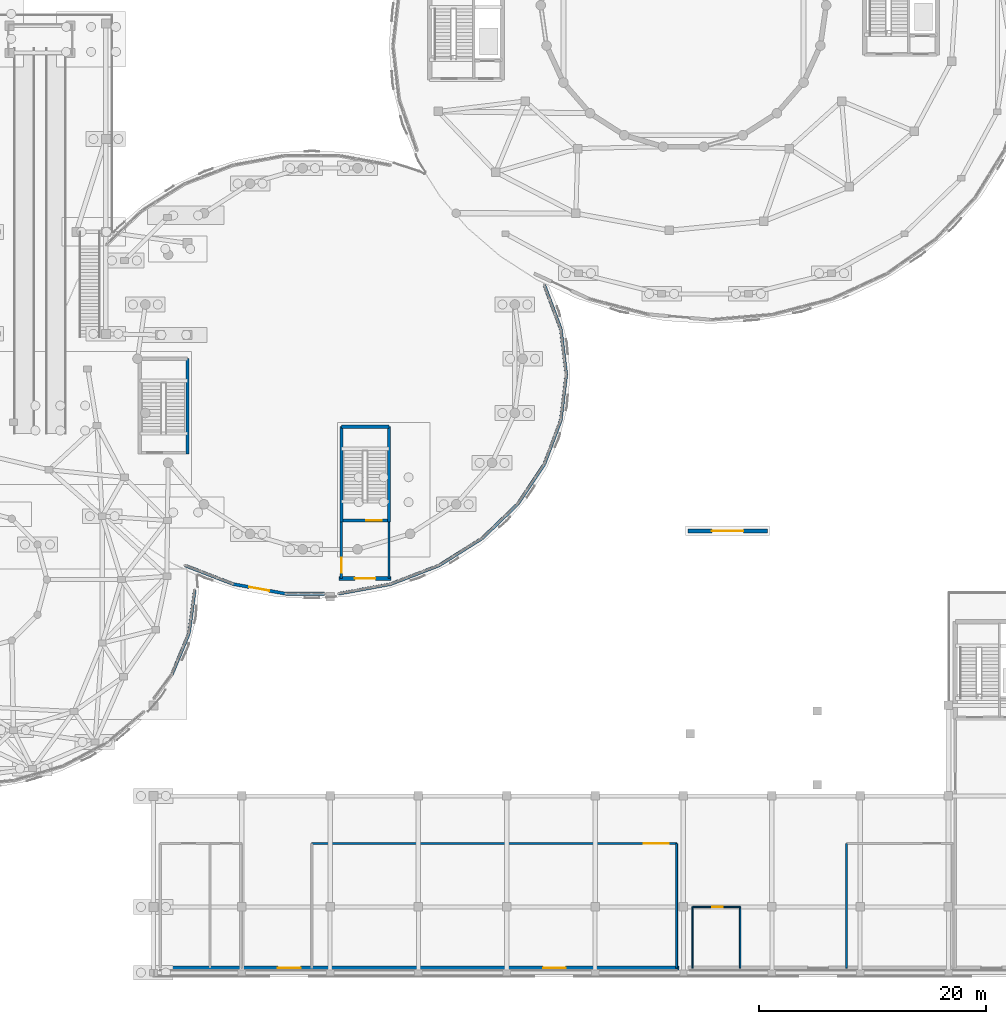
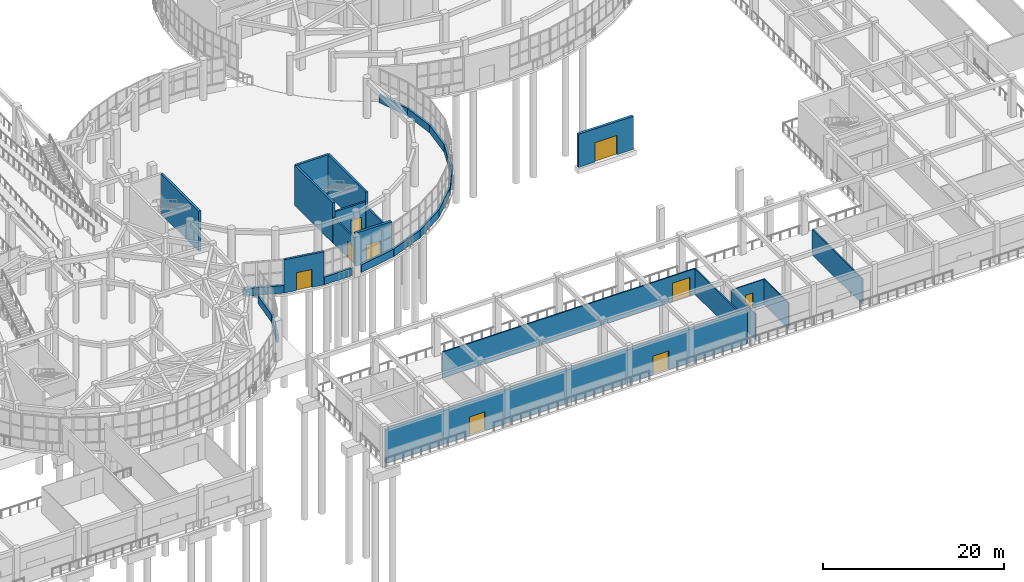
# One storey, part 73 of 96: 30 walls, 9 doors, 9 openings.
"""IFC4 building model written with IfcOpenShell, lengths in metres."""

from ifc_helpers import new_model, si_unit, direction, frame, frame_2d, origin, place, context, subcontext, project, spatial, rectangle, extrude, material, layer, layer_set, type_object, element, fill, save


model = new_model("IFC4")

# Units and contexts
model_context = context("Model", 3, precision=1e-05, world=origin(), true_north=direction((0.0, 1.0)))
body_context = subcontext(model_context, "Body", "Model", "MODEL_VIEW")
ifc_project = project(units=[si_unit("LENGTHUNIT", "METRE"), si_unit("AREAUNIT", "SQUARE_METRE"), si_unit("VOLUMEUNIT", "CUBIC_METRE"), si_unit("PLANEANGLEUNIT", "RADIAN"), si_unit("MASSUNIT", "GRAM", prefix="KILO")], contexts=[model_context])

# Site, building, storey
site_placement = place(None, origin())
site = spatial("IfcSite", under=ifc_project, at=site_placement, CompositionType="ELEMENT")
building_placement = place(site_placement, origin())
building = spatial("IfcBuilding", under=site, at=building_placement, Name="Pelvatis Terrace Science Centre", CompositionType="ELEMENT")
storey_placement = place(building_placement, origin())
storey = spatial("IfcBuildingStorey", under=building, at=storey_placement, Name="L00", CompositionType="ELEMENT", Elevation=0.0)

# Wall, openings, doors
ifc_material_1 = material(Name="Polished black Uruguayan granite masonry", Category="masonry")
ifc_layer_1 = layer(ifc_material_1, 0.364990234375)
ifc_layer_set_1 = layer_set([ifc_layer_1], Name="Polished black Uruguayan granite masonry")
wall_type_1 = type_object("IfcWallType", Name="WL-EXT-GRAN-365", PredefinedType="SOLIDWALL", material=ifc_layer_set_1)
wall_1_placement = place(storey_placement, frame((108.800048828125, 0.800048828125, 0.0), z_axis=(0.0, 0.0, 1.0), x_axis=(-1.0, 0.0, 0.0)))
wall_1 = element("IfcWall", 1, at=wall_1_placement, inside=storey, type_object=wall_type_1, Name="L00 exterior wall EW-L00-S3", PredefinedType="SOLIDWALL", context=body_context, shape_type="SweptSolid", body=[
    extrude(rectangle(XDim=46.0, YDim=0.364990234375, at=frame_2d((23.0, 0.0))), origin(), (0.0, 0.0, 1.0), 4.4599609375),
])
opening_1_placement = place(wall_1_placement, frame((33.39990234375, 0.0, 0.0)))
opening_1 = element("IfcOpeningElement", 2, at=opening_1_placement, cuts=wall_1, Name="Opening D-005", PredefinedType="OPENING", context=body_context, shape_type="SweptSolid", body=[
    extrude(rectangle(XDim=2.0, YDim=2.5, at=frame_2d((1.0, 1.25))), frame((0.0, 0.1923828125, 0.0), z_axis=(0.0, -1.0, 0.0), x_axis=(1.0, 0.0, 0.0)), (0.0, 0.0, 1.0), 0.385009765625),
])
opening_2_placement = place(wall_1_placement, frame((10.0, 0.0, 0.0)))
opening_2 = element("IfcOpeningElement", 3, at=opening_2_placement, cuts=wall_1, Name="Opening D-006", PredefinedType="OPENING", context=body_context, shape_type="SweptSolid", body=[
    extrude(rectangle(XDim=2.0, YDim=2.5, at=frame_2d((1.0, 1.25))), frame((0.0, 0.1923828125, 0.0), z_axis=(0.0, -1.0, 0.0), x_axis=(1.0, 0.0, 0.0)), (0.0, 0.0, 1.0), 0.385009765625),
])
ifc_material_2 = material(Name="Bronze-framed glazed double exit door", Category="glass")
door_type_1 = type_object("IfcDoorType", Name="DR-EXT-2000x2500", OperationType="NOTDEFINED", PredefinedType="DOOR", material=ifc_material_2)
door_1_placement = place(opening_1_placement, origin())
door_1 = element("IfcDoor", 4, at=door_1_placement, inside=storey, type_object=door_type_1, Name="South concourse exit door D-005", OperationType="DOUBLE_DOOR_SINGLE_SWING", OverallHeight=2.5, OverallWidth=2.0, PredefinedType="DOOR", context=body_context, shape_type="SweptSolid", body=[
    extrude(rectangle(XDim=2.0, YDim=2.5, at=frame_2d((1.0, 1.25))), frame((0.0, 0.02490234375, 0.0), z_axis=(0.0, -1.0, 0.0), x_axis=(1.0, 0.0, 0.0)), (0.0, 0.0, 1.0), 0.050048828125),
])
fill(opening_1, door_1)
door_2_placement = place(opening_2_placement, origin())
door_2 = element("IfcDoor", 5, at=door_2_placement, inside=storey, type_object=door_type_1, Name="Marine hall south exit door D-006", OperationType="DOUBLE_DOOR_SINGLE_SWING", OverallHeight=2.5, OverallWidth=2.0, PredefinedType="DOOR", context=body_context, shape_type="SweptSolid", body=[
    extrude(rectangle(XDim=2.0, YDim=2.5, at=frame_2d((1.0, 1.25))), frame((0.0, 0.02490234375, 0.0), z_axis=(0.0, -1.0, 0.0), x_axis=(1.0, 0.0, 0.0)), (0.0, 0.0, 1.0), 0.050048828125),
])
fill(opening_2, door_2)

# Wall, opening, door
ifc_material_3 = material(Name="Precast concrete C35/45 architectural stone", Category="masonry")
ifc_layer_2 = layer(ifc_material_3, 0.324951171875)
ifc_layer_set_2 = layer_set([ifc_layer_2], Name="Precast concrete C35/45 architectural stone")
wall_type_2 = type_object("IfcWallType", Name="WL-EXT-PREC-325", PredefinedType="SOLIDWALL", material=ifc_layer_set_2)
wall_2_placement = place(storey_placement, frame((116.60009765625, 39.39990234375, 0.0), z_axis=(0.0, 0.0, 1.0), x_axis=(-1.0, 0.0, 0.0)))
wall_2 = element("IfcWall", 6, at=wall_2_placement, inside=storey, type_object=wall_type_2, Name="L00 exterior wall EW-L00-CRTGATE2", PredefinedType="SOLIDWALL", context=body_context, shape_type="SweptSolid", body=[
    extrude(rectangle(XDim=7.0, YDim=0.324951171875, at=frame_2d((3.5, 0.0))), origin(), (0.0, 0.0, 1.0), 4.4599609375),
])
opening_3_placement = place(wall_2_placement, frame((2.10009765625, 0.0, 0.0)))
opening_3 = element("IfcOpeningElement", 7, at=opening_3_placement, cuts=wall_2, Name="Opening G-002", PredefinedType="OPENING", context=body_context, shape_type="SweptSolid", body=[
    extrude(rectangle(XDim=2.800048828125, YDim=2.60009765625, at=frame_2d((1.39990234375, 1.300048828125))), frame((0.0, 0.17236328125, 0.0), z_axis=(0.0, -1.0, 0.0), x_axis=(1.0, 0.0, 0.0)), (0.0, 0.0, 1.0), 0.344970703125),
])
ifc_material_4 = material(Name="Perforated bronze botanical court gate", Category="aluminium")
door_type_2 = type_object("IfcDoorType", Name="GT-PAR-2800x2600", OperationType="NOTDEFINED", PredefinedType="GATE", material=ifc_material_4)
door_3_placement = place(opening_3_placement, origin())
door_3 = element("IfcDoor", 8, at=door_3_placement, inside=storey, type_object=door_type_2, Name="Botanical court maintenance gate G-002", OperationType="DOUBLE_DOOR_SINGLE_SWING", OverallHeight=2.60009765625, OverallWidth=2.800048828125, PredefinedType="GATE", context=body_context, shape_type="SweptSolid", body=[
    extrude(rectangle(XDim=2.800048828125, YDim=2.60009765625, at=frame_2d((1.39990234375, 1.300048828125))), frame((0.0, 0.02490234375, 0.0), z_axis=(0.0, -1.0, 0.0), x_axis=(1.0, 0.0, 0.0)), (0.0, 0.0, 1.0), 0.050048828125),
])
fill(opening_3, door_3)

wall_3_placement = place(storey_placement, frame((83.39990234375, 35.199951171875, 0.0), z_axis=(0.0, 0.0, 1.0), x_axis=(-1.0, 0.0, 0.0)))
wall_3 = element("IfcWall", 9, at=wall_3_placement, inside=storey, type_object=wall_type_2, Name="L00 exterior wall EW-L00-S6EX", PredefinedType="SOLIDWALL", context=body_context, shape_type="SweptSolid", body=[
    extrude(rectangle(XDim=4.599853515625, YDim=0.324951171875, at=frame_2d((2.2998046875, 0.0))), origin(), (0.0, 0.0, 1.0), 4.4599609375),
])
opening_4_placement = place(wall_3_placement, frame((1.39990234375, 0.0, 0.0)))
opening_4 = element("IfcOpeningElement", 10, at=opening_4_placement, cuts=wall_3, Name="Opening D-014", PredefinedType="OPENING", context=body_context, shape_type="SweptSolid", body=[
    extrude(rectangle(XDim=1.800048828125, YDim=2.39990234375, at=frame_2d((0.89990234375, 1.199951171875))), frame((0.0, 0.17236328125, 0.0), z_axis=(0.0, -1.0, 0.0), x_axis=(1.0, 0.0, 0.0)), (0.0, 0.0, 1.0), 0.344970703125),
])
ifc_material_5 = material(Name="Bronze-framed glazed double exit door", Category="glass")
door_type_3 = type_object("IfcDoorType", Name="DR-EXT-1800x2400", OperationType="NOTDEFINED", PredefinedType="DOOR", material=ifc_material_5)
door_4_placement = place(opening_4_placement, origin())
door_4 = element("IfcDoor", 11, at=door_4_placement, inside=storey, type_object=door_type_3, Name="Stair ST-06 protected exit discharge door D-014", OperationType="DOUBLE_DOOR_SINGLE_SWING", OverallHeight=2.39990234375, OverallWidth=1.800048828125, PredefinedType="DOOR", context=body_context, shape_type="SweptSolid", body=[
    extrude(rectangle(XDim=1.800048828125, YDim=2.39990234375, at=frame_2d((0.89990234375, 1.199951171875))), frame((0.0, 0.02490234375, 0.0), z_axis=(0.0, -1.0, 0.0), x_axis=(1.0, 0.0, 0.0)), (0.0, 0.0, 1.0), 0.050048828125),
])
fill(opening_4, door_4)

# Walls
ifc_material_6 = material(Name="White architectural precast concrete C40/50 spandrel", Category="concrete")
ifc_layer_3 = layer(ifc_material_6, 0.27490234375)
ifc_layer_set_3 = layer_set([ifc_layer_3], Name="White architectural precast concrete C40/50 spandrel")
wall_type_3 = type_object("IfcWallType", Name="WL-EXT-SPND-275", PredefinedType="SOLIDWALL", material=ifc_layer_set_3)
wall_4_placement = place(storey_placement, frame((64.02490234375, 26.715576171875, 0.0), z_axis=(0.0, 0.0, 1.0), x_axis=(0.383165625846, 0.923679653976, 0.0)))
element("IfcWall", 12, at=wall_4_placement, inside=storey, type_object=wall_type_3, Name="V3 white spiral spandrel band 27 (L00)", PredefinedType="SOLIDWALL", context=body_context, shape_type="SweptSolid", body=[
    extrude(rectangle(XDim=3.947265625, YDim=0.27490234375, at=frame_2d((1.9736328125, 0.0))), origin(), (0.0, 0.0, 1.0), 1.02001953125),
])
wall_5_placement = place(storey_placement, frame((65.537353515625, 30.361572265625, 0.0), z_axis=(0.0, 0.0, 1.0), x_axis=(0.132394974091, 0.99119703936, 0.0)))
element("IfcWall", 13, at=wall_5_placement, inside=storey, type_object=wall_type_3, Name="V3 white spiral spandrel band 28 (L00)", PredefinedType="SOLIDWALL", context=body_context, shape_type="SweptSolid", body=[
    extrude(rectangle(XDim=3.87255859375, YDim=0.27490234375, at=frame_2d((1.936279296875, 0.0))), origin(), (0.0, 0.0, 1.0), 1.02001953125),
])
wall_6_placement = place(storey_placement, frame((98.85009765625, 53.199951171875, 0.0), z_axis=(0.0, 0.0, 1.0), x_axis=(-0.120463814, 0.99271771895, 0.0)))
element("IfcWall", 14, at=wall_6_placement, inside=storey, type_object=wall_type_3, Name="V2 white spiral spandrel band 01 (L00)", PredefinedType="SOLIDWALL", context=body_context, shape_type="SweptSolid", body=[
    extrude(rectangle(XDim=4.07373046875, YDim=0.27490234375, at=frame_2d((2.036865234375, 0.0))), origin(), (0.0, 0.0, 1.0), 1.02001953125),
])
wall_7_placement = place(storey_placement, frame((98.359375, 57.243896484375, 0.0), z_axis=(0.0, 0.0, 1.0), x_axis=(-0.351123441588, 0.936329177569, 0.0)))
element("IfcWall", 15, at=wall_7_placement, inside=storey, type_object=wall_type_3, Name="V2 white spiral spandrel band 02 (L00)", PredefinedType="SOLIDWALL", context=body_context, shape_type="SweptSolid", body=[
    extrude(rectangle(XDim=4.130126953125, YDim=0.27490234375, at=frame_2d((2.06494140625, 0.0))), origin(), (0.0, 0.0, 1.0), 1.02001953125),
])
wall_8_placement = place(storey_placement, frame((65.175048828125, 36.355712890625, 0.0), z_axis=(0.0, 0.0, 1.0), x_axis=(0.933000129412, -0.359876032151, 0.0)))
element("IfcWall", 16, at=wall_8_placement, inside=storey, type_object=wall_type_3, Name="V2 white spiral spandrel band 21 (L00)", PredefinedType="SOLIDWALL", context=body_context, shape_type="SweptSolid", body=[
    extrude(rectangle(XDim=4.595458984375, YDim=0.27490234375, at=frame_2d((2.2978515625, 0.0))), origin(), (0.0, 0.0, 1.0), 1.02001953125),
])

# Wall, opening, door
wall_9_placement = place(storey_placement, frame((74.05322265625, 33.8564453125, 0.0), z_axis=(0.0, 0.0, 1.0), x_axis=(-0.983459809052, 0.181126486132, 0.0)))
wall_9 = element("IfcWall", 17, at=wall_9_placement, inside=storey, type_object=wall_type_3, Name="V2 courtyard exit portal wall 22 (L00)", PredefinedType="SOLIDWALL", context=body_context, shape_type="SweptSolid", body=[
    extrude(rectangle(XDim=4.667724609375, YDim=0.27490234375, at=frame_2d((2.333984375, 0.0))), origin(), (0.0, 0.0, 1.0), 4.4599609375),
])
opening_5_placement = place(wall_9_placement, frame((1.43408203125, 0.0, 0.0)))
opening_5 = element("IfcOpeningElement", 18, at=opening_5_placement, cuts=wall_9, Name="Opening D-017", PredefinedType="OPENING", context=body_context, shape_type="SweptSolid", body=[
    extrude(rectangle(XDim=1.800048828125, YDim=2.39990234375, at=frame_2d((0.89990234375, 1.199951171875))), frame((0.0, 0.1474609375, 0.0), z_axis=(0.0, -1.0, 0.0), x_axis=(1.0, 0.0, 0.0)), (0.0, 0.0, 1.0), 0.294921875),
])
door_5_placement = place(opening_5_placement, origin())
door_5 = element("IfcDoor", 19, at=door_5_placement, inside=storey, type_object=door_type_3, Name="Bowl gallery courtyard exit door D-017", OperationType="DOUBLE_DOOR_SINGLE_SWING", OverallHeight=2.39990234375, OverallWidth=1.800048828125, PredefinedType="DOOR", context=body_context, shape_type="SweptSolid", body=[
    extrude(rectangle(XDim=1.800048828125, YDim=2.39990234375, at=frame_2d((0.89990234375, 1.199951171875))), frame((0.0, 0.02490234375, 0.0), z_axis=(0.0, -1.0, 0.0), x_axis=(1.0, 0.0, 0.0)), (0.0, 0.0, 1.0), 0.050048828125),
])
fill(opening_5, door_5)

# Walls
wall_10_placement = place(storey_placement, frame((74.05322265625, 33.8564453125, 0.0), z_axis=(0.0, 0.0, 1.0), x_axis=(1.0, 0.0, 0.0)))
element("IfcWall", 20, at=wall_10_placement, inside=storey, type_object=wall_type_3, Name="V2 white spiral spandrel band 23 (L00)", PredefinedType="SOLIDWALL", context=body_context, shape_type="SweptSolid", body=[
    extrude(rectangle(XDim=3.44677734375, YDim=0.27490234375, at=frame_2d((1.723388671875, 0.0))), origin(), (0.0, 0.0, 1.0), 1.02001953125),
])
wall_11_placement = place(storey_placement, frame((78.74658203125, 33.8564453125, 0.0), z_axis=(0.0, 0.0, 1.0), x_axis=(0.983461524826, 0.181117169776, 0.0)))
element("IfcWall", 21, at=wall_11_placement, inside=storey, type_object=wall_type_3, Name="V2 white spiral spandrel band 24 (L00)", PredefinedType="SOLIDWALL", context=body_context, shape_type="SweptSolid", body=[
    extrude(rectangle(XDim=4.66796875, YDim=0.27490234375, at=frame_2d((2.333984375, 0.0))), origin(), (0.0, 0.0, 1.0), 1.02001953125),
])
wall_12_placement = place(storey_placement, frame((83.33740234375, 34.701904296875, 0.0), z_axis=(0.0, 0.0, 1.0), x_axis=(0.933000129412, 0.359876032151, 0.0)))
element("IfcWall", 22, at=wall_12_placement, inside=storey, type_object=wall_type_3, Name="V2 white spiral spandrel band 25 (L00)", PredefinedType="SOLIDWALL", context=body_context, shape_type="SweptSolid", body=[
    extrude(rectangle(XDim=4.595458984375, YDim=0.27490234375, at=frame_2d((2.2978515625, 0.0))), origin(), (0.0, 0.0, 1.0), 1.02001953125),
])
wall_13_placement = place(storey_placement, frame((87.625, 36.355712890625, 0.0), z_axis=(0.0, 0.0, 1.0), x_axis=(0.846297350015, 0.532710798987, 0.0)))
element("IfcWall", 23, at=wall_13_placement, inside=storey, type_object=wall_type_3, Name="V2 white spiral spandrel band 26 (L00)", PredefinedType="SOLIDWALL", context=body_context, shape_type="SweptSolid", body=[
    extrude(rectangle(XDim=4.48681640625, YDim=0.27490234375, at=frame_2d((2.243408203125, 0.0))), origin(), (0.0, 0.0, 1.0), 1.02001953125),
])
wall_14_placement = place(storey_placement, frame((91.422119140625, 38.745849609375, 0.0), z_axis=(0.0, 0.0, 1.0), x_axis=(0.720588658074, 0.693362809685, 0.0)))
element("IfcWall", 24, at=wall_14_placement, inside=storey, type_object=wall_type_3, Name="V2 white spiral spandrel band 27 (L00)", PredefinedType="SOLIDWALL", context=body_context, shape_type="SweptSolid", body=[
    extrude(rectangle(XDim=4.358154296875, YDim=0.27490234375, at=frame_2d((2.17919921875, 0.0))), origin(), (0.0, 0.0, 1.0), 1.02001953125),
])
wall_15_placement = place(storey_placement, frame((94.5625, 41.767578125, 0.0), z_axis=(0.0, 0.0, 1.0), x_axis=(0.554540422121, 0.832156788252, 0.0)))
element("IfcWall", 25, at=wall_15_placement, inside=storey, type_object=wall_type_3, Name="V2 white spiral spandrel band 28 (L00)", PredefinedType="SOLIDWALL", context=body_context, shape_type="SweptSolid", body=[
    extrude(rectangle(XDim=4.231689453125, YDim=0.27490234375, at=frame_2d((2.11572265625, 0.0))), origin(), (0.0, 0.0, 1.0), 1.02001953125),
])
wall_16_placement = place(storey_placement, frame((96.9091796875, 45.2890625, 0.0), z_axis=(0.0, 0.0, 1.0), x_axis=(0.351142876569, 0.936321889221, 0.0)))
element("IfcWall", 26, at=wall_16_placement, inside=storey, type_object=wall_type_3, Name="V2 white spiral spandrel band 29 (L00)", PredefinedType="SOLIDWALL", context=body_context, shape_type="SweptSolid", body=[
    extrude(rectangle(XDim=4.1298828125, YDim=0.27490234375, at=frame_2d((2.06494140625, 0.0))), origin(), (0.0, 0.0, 1.0), 1.02001953125),
])
wall_17_placement = place(storey_placement, frame((98.359375, 49.156005859375, 0.0), z_axis=(0.0, 0.0, 1.0), x_axis=(0.120463814, 0.99271771895, 0.0)))
element("IfcWall", 27, at=wall_17_placement, inside=storey, type_object=wall_type_3, Name="V2 white spiral spandrel band 30 (L00)", PredefinedType="SOLIDWALL", context=body_context, shape_type="SweptSolid", body=[
    extrude(rectangle(XDim=4.07373046875, YDim=0.27490234375, at=frame_2d((2.036865234375, 0.0))), origin(), (0.0, 0.0, 1.0), 1.02001953125),
])
ifc_material_7 = material(Name="Concrete C35/45 shaft dividing wall", Category="concrete")
ifc_layer_4 = layer(ifc_material_7, 0.2099609375)
ifc_layer_set_4 = layer_set([ifc_layer_4], Name="Concrete C35/45 shaft dividing wall")
wall_type_4 = type_object("IfcWallType", Name="WL-INT-CORE-210", PredefinedType="PARTITIONING", material=ifc_layer_set_4)
wall_18_placement = place(storey_placement, frame((83.199951171875, 35.199951171875, 0.0), z_axis=(0.0, 0.0, 1.0), x_axis=(0.0, 1.0, 0.0)))
element("IfcWall", 28, at=wall_18_placement, inside=storey, type_object=wall_type_4, Name="Protected Exit Discharge Lobby EX6 partition wall E", PredefinedType="PARTITIONING", context=body_context, shape_type="SweptSolid", body=[
    extrude(rectangle(XDim=5.0, YDim=0.2099609375, at=frame_2d((2.5, 0.0))), origin(), (0.0, 0.0, 1.0), 3.449951171875),
])

# Wall, opening, door
wall_19_placement = place(storey_placement, frame((79.0, 35.199951171875, 0.0), z_axis=(0.0, 0.0, 1.0), x_axis=(0.0, 1.0, 0.0)))
wall_19 = element("IfcWall", 29, at=wall_19_placement, inside=storey, type_object=wall_type_4, Name="Protected Exit Discharge Lobby EX6 partition wall W", PredefinedType="PARTITIONING", context=body_context, shape_type="SweptSolid", body=[
    extrude(rectangle(XDim=5.0, YDim=0.2099609375, at=frame_2d((2.5, 0.0))), origin(), (0.0, 0.0, 1.0), 3.449951171875),
])
opening_6_placement = place(wall_19_placement, frame((0.5, 0.0, 0.0)))
opening_6 = element("IfcOpeningElement", 30, at=opening_6_placement, cuts=wall_19, Name="Opening D-184", PredefinedType="OPENING", context=body_context, shape_type="SweptSolid", body=[
    extrude(rectangle(XDim=1.35009765625, YDim=2.199951171875, at=frame_2d((0.675048828125, 1.10009765625))), frame((0.0, 0.114990234375, 0.0), z_axis=(0.0, -1.0, 0.0), x_axis=(1.0, 0.0, 0.0)), (0.0, 0.0, 1.0), 0.22998046875),
])
ifc_material_8 = material(Name="Steel fire-rated protected stair door", Category="steel")
door_type_4 = type_object("IfcDoorType", Name="DR-STAIR-1350x2200", OperationType="NOTDEFINED", PredefinedType="DOOR", material=ifc_material_8)
door_6_placement = place(opening_6_placement, origin())
door_6 = element("IfcDoor", 31, at=door_6_placement, inside=storey, type_object=door_type_4, Name="Protected Exit Discharge Lobby EX6 entrance door", OperationType="SINGLE_SWING_LEFT", OverallHeight=2.199951171875, OverallWidth=1.35009765625, PredefinedType="DOOR", context=body_context, shape_type="SweptSolid", body=[
    extrude(rectangle(XDim=1.35009765625, YDim=2.199951171875, at=frame_2d((0.675048828125, 1.10009765625))), frame((0.0, 0.02490234375, 0.0), z_axis=(0.0, -1.0, 0.0), x_axis=(1.0, 0.0, 0.0)), (0.0, 0.0, 1.0), 0.050048828125),
])
fill(opening_6, door_6)

ifc_material_9 = material(Name="Concrete C35/45 stair enclosure wall", Category="concrete")
ifc_layer_5 = layer(ifc_material_9, 0.22509765625)
ifc_layer_set_5 = layer_set([ifc_layer_5], Name="Concrete C35/45 stair enclosure wall")
wall_type_5 = type_object("IfcWallType", Name="WL-INT-CORE-225", PredefinedType="PARTITIONING", material=ifc_layer_set_5)
wall_20_placement = place(storey_placement, frame((79.139892578125, 40.320068359375, 0.0), z_axis=(0.0, 0.0, 1.0), x_axis=(1.0, 0.0, 0.0)))
wall_20 = element("IfcWall", 32, at=wall_20_placement, inside=storey, type_object=wall_type_5, Name="Stair ST-06 shaft wall S (L00)", PredefinedType="PARTITIONING", context=body_context, shape_type="SweptSolid", body=[
    extrude(rectangle(XDim=3.920166015625, YDim=0.22509765625, at=frame_2d((1.9599609375, 0.0))), origin(), (0.0, 0.0, 1.0), 4.110107421875),
])
opening_7_placement = place(wall_20_placement, frame((2.070068359375, 0.0, 0.0)))
opening_7 = element("IfcOpeningElement", 33, at=opening_7_placement, cuts=wall_20, Name="Opening D-154", PredefinedType="OPENING", context=body_context, shape_type="SweptSolid", body=[
    extrude(rectangle(XDim=1.35009765625, YDim=2.199951171875, at=frame_2d((0.675048828125, 1.10009765625))), frame((0.0, 0.12255859375, 0.0), z_axis=(0.0, -1.0, 0.0), x_axis=(1.0, 0.0, 0.0)), (0.0, 0.0, 1.0), 0.2451171875),
])
door_7_placement = place(opening_7_placement, origin())
door_7 = element("IfcDoor", 34, at=door_7_placement, inside=storey, type_object=door_type_4, Name="Stair ST-06 fire door (L00)", OperationType="SINGLE_SWING_LEFT", OverallHeight=2.199951171875, OverallWidth=1.35009765625, PredefinedType="DOOR", context=body_context, shape_type="SweptSolid", body=[
    extrude(rectangle(XDim=1.35009765625, YDim=2.199951171875, at=frame_2d((0.675048828125, 1.10009765625))), frame((0.0, 0.02490234375, 0.0), z_axis=(0.0, -1.0, 0.0), x_axis=(1.0, 0.0, 0.0)), (0.0, 0.0, 1.0), 0.050048828125),
])
fill(opening_7, door_7)

# Walls
ifc_material_10 = material(Name="Office partition wall", Category="masonry")
ifc_layer_6 = layer(ifc_material_10, 0.139892578125)
ifc_layer_set_6 = layer_set([ifc_layer_6], Name="Office partition wall")
wall_type_6 = type_object("IfcWallType", Name="WL-INT-GAL-140", PredefinedType="PARTITIONING", material=ifc_layer_set_6)
wall_21_placement = place(storey_placement, frame((114.199951171875, 0.800048828125, 0.0), z_axis=(0.0, 0.0, 1.0), x_axis=(0.0, 1.0, 0.0)))
element("IfcWall", 35, at=wall_21_placement, inside=storey, type_object=wall_type_6, Name="Ground Floor Accessible WC partition wall E", PredefinedType="PARTITIONING", context=body_context, shape_type="SweptSolid", body=[
    extrude(rectangle(XDim=5.39990234375, YDim=0.139892578125, at=frame_2d((2.699951171875, 0.0))), origin(), (0.0, 0.0, 1.0), 3.449951171875),
])
ifc_material_11 = material(Name="Gallery acoustic wall", Category="masonry")
ifc_layer_7 = layer(ifc_material_11, 0.169921875)
ifc_layer_set_7 = layer_set([ifc_layer_7], Name="Gallery acoustic wall")
wall_type_7 = type_object("IfcWallType", Name="WL-INT-GAL-170", PredefinedType="PARTITIONING", material=ifc_layer_set_7)
wall_22_placement = place(storey_placement, frame((108.60009765625, 0.800048828125, 0.0), z_axis=(0.0, 0.0, 1.0), x_axis=(0.0, 1.0, 0.0)))
element("IfcWall", 36, at=wall_22_placement, inside=storey, type_object=wall_type_7, Name="Rio de la Plata Marine Biodiversity Exhibition Gallery partition wall E", PredefinedType="PARTITIONING", context=body_context, shape_type="SweptSolid", body=[
    extrude(rectangle(XDim=11.0, YDim=0.169921875, at=frame_2d((5.5, 0.0))), origin(), (0.0, 0.0, 1.0), 3.449951171875),
])

# Wall, opening, door
wall_23_placement = place(storey_placement, frame((108.60009765625, 11.800048828125, 0.0), z_axis=(0.0, 0.0, 1.0), x_axis=(-1.0, 0.0, 0.0)))
wall_23 = element("IfcWall", 37, at=wall_23_placement, inside=storey, type_object=wall_type_7, Name="Rio de la Plata Marine Biodiversity Exhibition Gallery partition wall N", PredefinedType="PARTITIONING", context=body_context, shape_type="SweptSolid", body=[
    extrude(rectangle(XDim=32.2001953125, YDim=0.169921875, at=frame_2d((16.10009765625, 0.0))), origin(), (0.0, 0.0, 1.0), 3.449951171875),
])
opening_8_placement = place(wall_23_placement, frame((0.700927734375, 0.0, 0.0)))
opening_8 = element("IfcOpeningElement", 38, at=opening_8_placement, cuts=wall_23, Name="Opening D-176", PredefinedType="OPENING", context=body_context, shape_type="SweptSolid", body=[
    extrude(rectangle(XDim=2.199951171875, YDim=2.5, at=frame_2d((1.10009765625, 1.25))), frame((0.0, 0.094970703125, 0.0), z_axis=(0.0, -1.0, 0.0), x_axis=(1.0, 0.0, 0.0)), (0.0, 0.0, 1.0), 0.18994140625),
])
ifc_material_12 = material(Name="Acoustic bronze-and-glass exhibition hall double door", Category="glass")
door_type_5 = type_object("IfcDoorType", Name="DR-GAL-2200x2500", OperationType="NOTDEFINED", PredefinedType="DOOR", material=ifc_material_12)
door_8_placement = place(opening_8_placement, origin())
door_8 = element("IfcDoor", 39, at=door_8_placement, inside=storey, type_object=door_type_5, Name="Rio de la Plata Marine Biodiversity Exhibition Gallery entrance door", OperationType="DOUBLE_DOOR_SINGLE_SWING", OverallHeight=2.5, OverallWidth=2.199951171875, PredefinedType="DOOR", context=body_context, shape_type="SweptSolid", body=[
    extrude(rectangle(XDim=2.199951171875, YDim=2.5, at=frame_2d((1.10009765625, 1.25))), frame((0.0, 0.02490234375, 0.0), z_axis=(0.0, -1.0, 0.0), x_axis=(1.0, 0.0, 0.0)), (0.0, 0.0, 1.0), 0.050048828125),
])
fill(opening_8, door_8)

# Walls
ifc_material_13 = material(Name="Dry studio acoustic partition", Category="masonry")
ifc_layer_8 = layer(ifc_material_13, 0.1650390625)
ifc_layer_set_8 = layer_set([ifc_layer_8], Name="Dry studio acoustic partition")
wall_type_8 = type_object("IfcWallType", Name="WL-INT-LAB-165", PredefinedType="PARTITIONING", material=ifc_layer_set_8)
wall_24_placement = place(storey_placement, frame((123.60009765625, 11.800048828125, 0.0), z_axis=(0.0, 0.0, 1.0), x_axis=(0.0, -1.0, 0.0)))
element("IfcWall", 40, at=wall_24_placement, inside=storey, type_object=wall_type_8, Name="School Science Orientation Studio partition wall W", PredefinedType="PARTITIONING", context=body_context, shape_type="SweptSolid", body=[
    extrude(rectangle(XDim=11.0, YDim=0.1650390625, at=frame_2d((5.5, 0.0))), origin(), (0.0, 0.0, 1.0), 3.449951171875),
])
ifc_material_14 = material(Name="Standard gypsum board partition", Category="masonry")
ifc_layer_9 = layer(ifc_material_14, 0.125)
ifc_layer_set_9 = layer_set([ifc_layer_9], Name="Standard gypsum board partition")
wall_type_9 = type_object("IfcWallType", Name="WL-INT-STD-125", PredefinedType="PARTITIONING", material=ifc_layer_set_9)
wall_25_placement = place(storey_placement, frame((110.0, 6.199951171875, 0.0), z_axis=(0.0, 0.0, 1.0), x_axis=(0.0, -1.0, 0.0)))
element("IfcWall", 41, at=wall_25_placement, inside=storey, type_object=wall_type_9, Name="Ground Floor Accessible WC partition wall W", PredefinedType="PARTITIONING", context=body_context, shape_type="SweptSolid", body=[
    extrude(rectangle(XDim=5.39990234375, YDim=0.125, at=frame_2d((2.699951171875, 0.0))), origin(), (0.0, 0.0, 1.0), 3.449951171875),
])

# Wall, opening, door
ifc_material_15 = material(Name="Accessible WC cubicle partition", Category="masonry")
ifc_layer_10 = layer(ifc_material_15, 0.114990234375)
ifc_layer_set_10 = layer_set([ifc_layer_10], Name="Accessible WC cubicle partition")
wall_type_10 = type_object("IfcWallType", Name="WL-INT-WET-115", PredefinedType="PARTITIONING", material=ifc_layer_set_10)
wall_26_placement = place(storey_placement, frame((114.199951171875, 6.199951171875, 0.0), z_axis=(0.0, 0.0, 1.0), x_axis=(-1.0, 0.0, 0.0)))
wall_26 = element("IfcWall", 42, at=wall_26_placement, inside=storey, type_object=wall_type_10, Name="Ground Floor Accessible WC partition wall N", PredefinedType="PARTITIONING", context=body_context, shape_type="SweptSolid", body=[
    extrude(rectangle(XDim=4.199951171875, YDim=0.114990234375, at=frame_2d((2.10009765625, 0.0))), origin(), (0.0, 0.0, 1.0), 3.449951171875),
])
opening_9_placement = place(wall_26_placement, frame((1.52294921875, 0.0, 0.0)))
opening_9 = element("IfcOpeningElement", 43, at=opening_9_placement, cuts=wall_26, Name="Opening D-189", PredefinedType="OPENING", context=body_context, shape_type="SweptSolid", body=[
    extrude(rectangle(XDim=0.949951171875, YDim=2.10009765625, at=frame_2d((0.47509765625, 1.050048828125))), frame((0.0, 0.0673828125, 0.0), z_axis=(0.0, -1.0, 0.0), x_axis=(1.0, 0.0, 0.0)), (0.0, 0.0, 1.0), 0.135009765625),
])
ifc_material_16 = material(Name="Moisture-resistant accessible restroom door", Category="wood")
door_type_6 = type_object("IfcDoorType", Name="DR-WC-0950x2100", OperationType="NOTDEFINED", PredefinedType="DOOR", material=ifc_material_16)
door_9_placement = place(opening_9_placement, origin())
door_9 = element("IfcDoor", 44, at=door_9_placement, inside=storey, type_object=door_type_6, Name="Ground Floor Accessible WC entrance door", OperationType="SINGLE_SWING_RIGHT", OverallHeight=2.10009765625, OverallWidth=0.949951171875, PredefinedType="DOOR", context=body_context, shape_type="SweptSolid", body=[
    extrude(rectangle(XDim=0.949951171875, YDim=2.10009765625, at=frame_2d((0.47509765625, 1.050048828125))), frame((0.0, 0.02490234375, 0.0), z_axis=(0.0, -1.0, 0.0), x_axis=(1.0, 0.0, 0.0)), (0.0, 0.0, 1.0), 0.050048828125),
])
fill(opening_9, door_9)

# Walls
ifc_material_17 = material(Name="Concrete C40/50", Category="concrete")
ifc_layer_11 = layer(ifc_material_17, 0.280029296875)
ifc_layer_set_11 = layer_set([ifc_layer_11], Name="Concrete C40/50")
wall_type_11 = type_object("IfcWallType", Name="WL-SHR-280", PredefinedType="SHEAR", material=ifc_layer_set_11)
wall_27_placement = place(storey_placement, frame((65.39990234375, 46.199951171875, 0.0), z_axis=(0.0, 0.0, 1.0), x_axis=(0.0, 1.0, 0.0)))
element("IfcWall", 45, at=wall_27_placement, inside=storey, type_object=wall_type_11, Name="Stair ST-05 structural wall E (L00)", PredefinedType="SHEAR", context=body_context, shape_type="SweptSolid", body=[
    extrude(rectangle(XDim=8.400146484375, YDim=0.280029296875, at=frame_2d((4.2001953125, 0.0))), origin(), (0.0, 0.0, 1.0), 5.39990234375),
])
wall_28_placement = place(storey_placement, frame((79.0, 48.60009765625, 0.0), z_axis=(0.0, 0.0, 1.0), x_axis=(1.0, 0.0, 0.0)))
element("IfcWall", 46, at=wall_28_placement, inside=storey, type_object=wall_type_11, Name="Stair ST-06 structural wall N (L00)", PredefinedType="SHEAR", context=body_context, shape_type="SweptSolid", body=[
    extrude(rectangle(XDim=4.199951171875, YDim=0.280029296875, at=frame_2d((2.10009765625, 0.0))), origin(), (0.0, 0.0, 1.0), 5.39990234375),
])
for number, where, z_axis, x_axis, name in (
    (47, (79.0, 40.199951171875, 0.0), (0.0, 0.0, 1.0), (0.0, 1.0, 0.0), "Stair ST-06 structural wall W (L00)"),
    (48, (83.199951171875, 40.199951171875, 0.0), (0.0, 0.0, 1.0), (0.0, 1.0, 0.0), "Stair ST-06 structural wall E (L00)"),
):
    element("IfcWall", number, at=place(storey_placement, frame(where, z_axis=z_axis, x_axis=x_axis)), inside=storey, type_object=wall_type_11, Name=name, PredefinedType="SHEAR", context=body_context, shape_type="SweptSolid", body=[
        extrude(rectangle(XDim=8.400146484375, YDim=0.280029296875, at=frame_2d((4.2001953125, 0.0))), origin(), (0.0, 0.0, 1.0), 5.39990234375),
    ])

save(model, "model.ifc")
